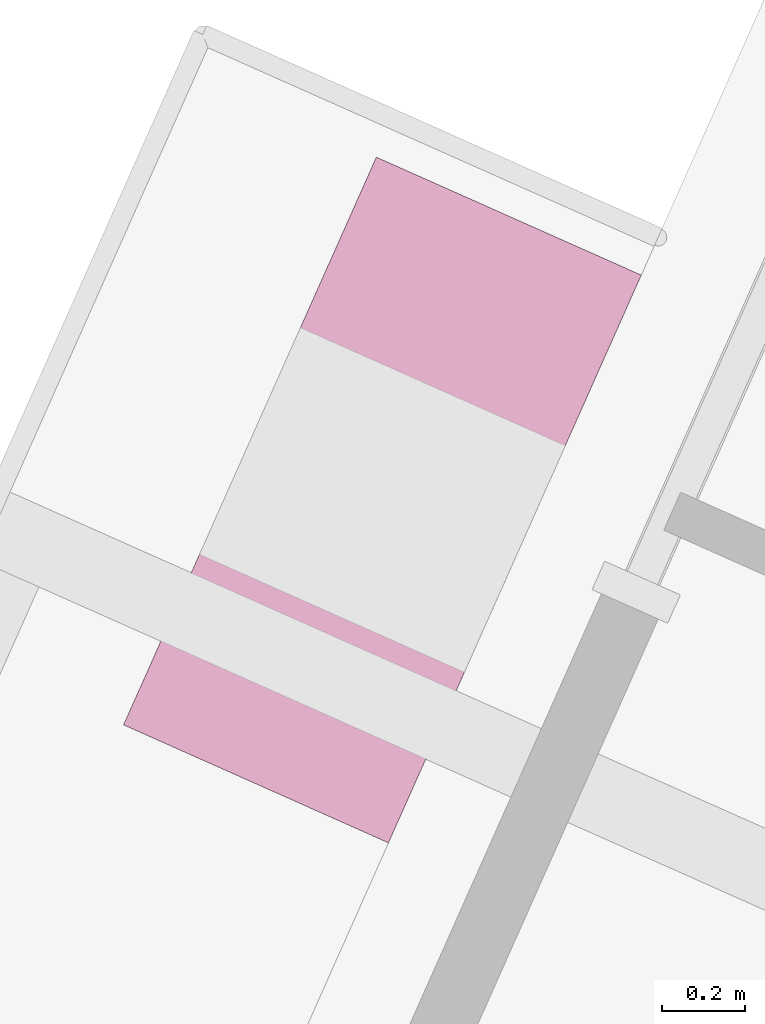
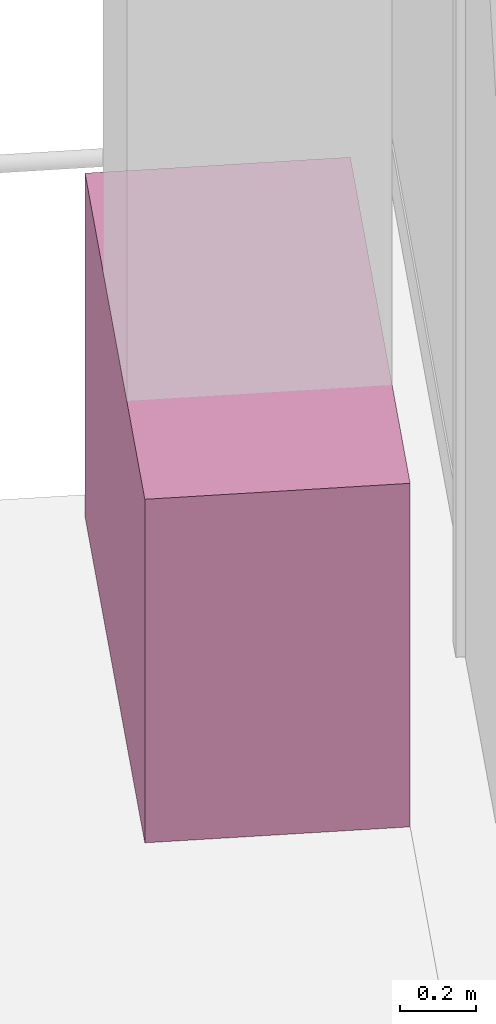
# One storey, part 20 of 21: 1 furniture element.
"""IFC4 building model written with IfcOpenShell, lengths in metres."""

from ifc_helpers import new_model, si_unit, direction, frame, origin, origin_2d, place, context, subcontext, project, spatial, rectangle, extrude, source, transform, mapped, material, type_object, element, save


model = new_model("IFC4")

# Units and contexts
model_context = context("Model", 3, precision=1e-05, world=origin(), true_north=direction((0.0, 1.0)))
body_context = subcontext(model_context, "Body", "Model", "MODEL_VIEW")
ifc_project = project(units=[si_unit("LENGTHUNIT", "METRE"), si_unit("AREAUNIT", "SQUARE_METRE"), si_unit("VOLUMEUNIT", "CUBIC_METRE"), si_unit("PLANEANGLEUNIT", "RADIAN"), si_unit("MASSUNIT", "GRAM", prefix="KILO")], contexts=[model_context])

# Site, building, storey
site_placement = place(None, origin())
site = spatial("IfcSite", under=ifc_project, at=site_placement, CompositionType="ELEMENT")
building_placement = place(site_placement, origin())
building = spatial("IfcBuilding", under=site, at=building_placement, Name="Triune Harvest Tower", CompositionType="ELEMENT")
storey_placement = place(building_placement, frame((0.0, 0.0, 241.300048828125)))
storey = spatial("IfcBuildingStorey", under=building, at=storey_placement, Name="L63", CompositionType="ELEMENT", Elevation=241.300048828125)

# Furniture
ifc_material = material(Name="Concrete 40 MPa", Category="concrete")
furniture_type = type_object("IfcFurnitureType", Name="PB-1 structural planter", AssemblyPlace="SITE", PredefinedType="USERDEFINED", material=ifc_material)
shared_shape = source(origin(), body_context, "Body", "SweptSolid", [
    extrude(rectangle(XDim=1.5, YDim=0.699951171875, at=origin_2d()), origin(), (0.0, 0.0, 1.0), 1.10009765625),
])
furniture_placement = place(storey_placement, frame((-12.7265625, 22.1943359375, 0.0), z_axis=(0.0, 0.0, 1.0), x_axis=(-0.406737912248, -0.91354489257, 0.0)))
element("IfcFurniture", 1, at=furniture_placement, inside=storey, type_object=furniture_type, Name="Planter B6-F3 L63.3a", ObjectType="PLANTER", PredefinedType="USERDEFINED", context=body_context, shape_type="MappedRepresentation", body=[
    mapped(shared_shape, transform((0.0, 0.0, 0.0), scale=1.0)),
])

save(model, "model.ifc")
